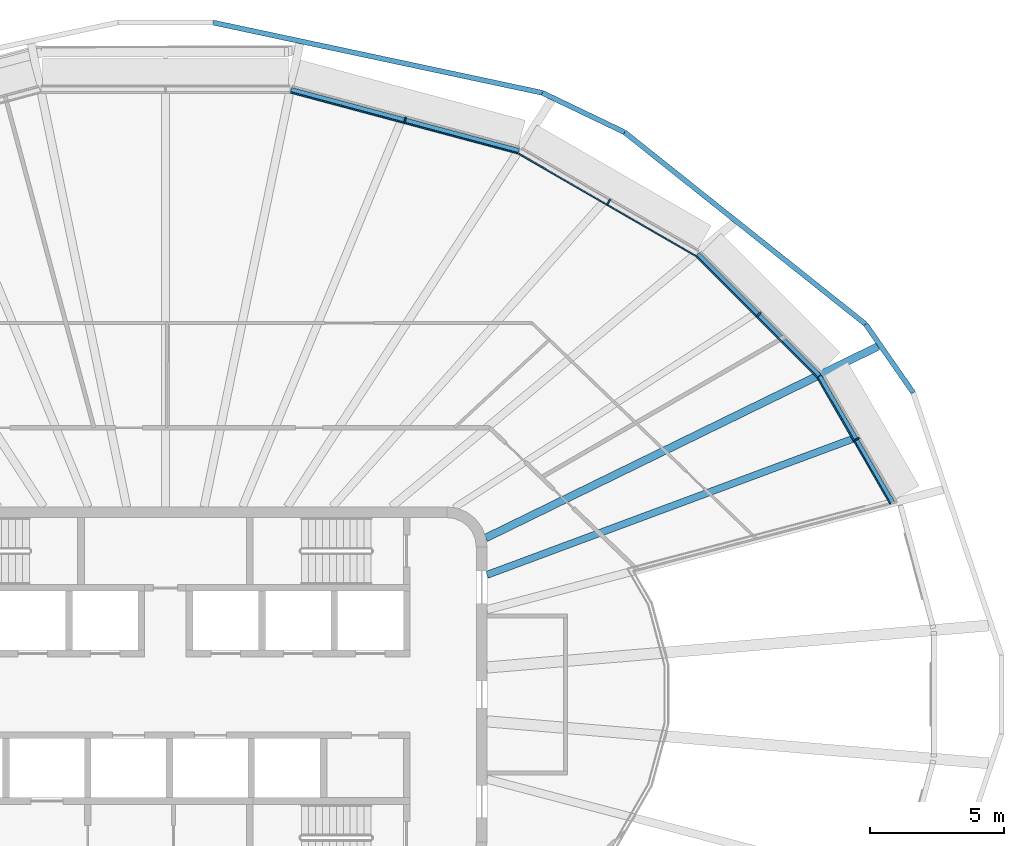
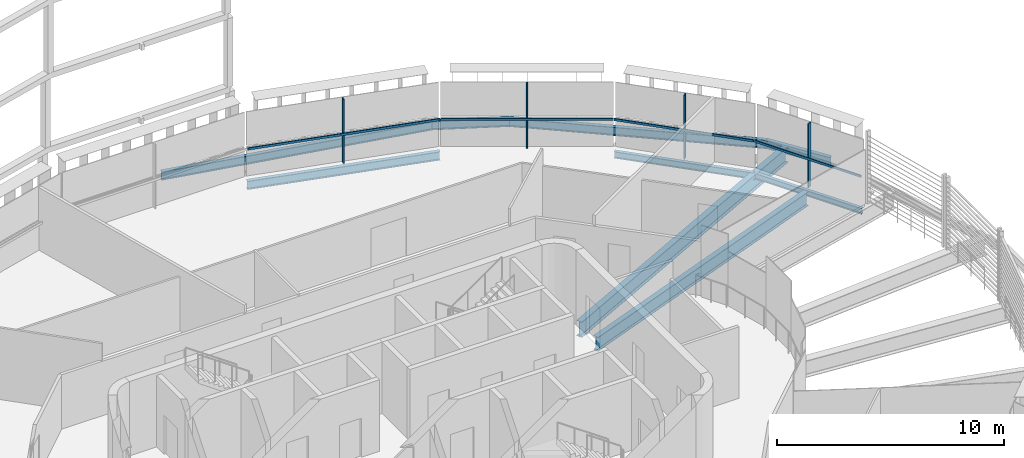
# One storey, part 7 of 19: 9 beams, 8 members, 4 elements without a shape of their own.
"""IFC4 building model written with IfcOpenShell, lengths in metres."""

from ifc_helpers import new_model, si_unit, direction, frame, origin, origin_2d, place, context, subcontext, project, spatial, rectangle, i_section, extrude, material, layer, layer_set, material_profile, profile_set, type_object, element, aggregate, save


model = new_model("IFC4")

# Units and contexts
model_context = context("Model", 3, precision=1e-05, world=origin(), true_north=direction((0.0, 1.0)))
body_context = subcontext(model_context, "Body", "Model", "MODEL_VIEW")
ifc_project = project(units=[si_unit("LENGTHUNIT", "METRE"), si_unit("AREAUNIT", "SQUARE_METRE"), si_unit("VOLUMEUNIT", "CUBIC_METRE"), si_unit("PLANEANGLEUNIT", "RADIAN"), si_unit("MASSUNIT", "GRAM", prefix="KILO")], contexts=[model_context])

# Site, building, storey
site_placement = place(None, origin())
site = spatial("IfcSite", under=ifc_project, at=site_placement, CompositionType="ELEMENT")
building_placement = place(site_placement, origin())
building = spatial("IfcBuilding", under=site, at=building_placement, Name="Sahrelin Media Tower", CompositionType="ELEMENT")
storey_placement = place(building_placement, frame((0.0, 0.0, 287.0)))
storey = spatial("IfcBuildingStorey", under=building, at=storey_placement, Name="L63", CompositionType="ELEMENT", Elevation=287.0)

# Beams
ifc_material_1 = material(Name="Steel S355", Category="steel")
ifc_material_profile_1 = material_profile(ifc_material_1, i_section(OverallWidth=0.1650390625, OverallDepth=0.303466796875, WebThickness=0.006103515625, FlangeThickness=0.01025390625, FilletRadius=0.0087890625, at=origin_2d()), Name="UB 305x165x40")
ifc_profile_set_1 = profile_set([ifc_material_profile_1], Name="Steel S355")
beam_type_1 = type_object("IfcBeamType", Name="Edge beam EB2", PredefinedType="BEAM", material=ifc_profile_set_1)
beam_1_placement = place(storey_placement, frame((24.40625, 11.86865234375, -0.3017578125), z_axis=(0.500030911274, -0.866007556416, 0.0), x_axis=(0.866007556416, 0.500030911274, 0.0)))
element("IfcBeam", 1, at=beam_1_placement, inside=storey, type_object=beam_type_1, Name="Edge beam L63-20", PredefinedType="BEAM", context=body_context, shape_type="SweptSolid", body=[
    extrude(i_section(OverallWidth=0.1650390625, OverallDepth=0.303466796875, WebThickness=0.006103515625, FlangeThickness=0.01025390625, FilletRadius=0.0087890625, at=origin_2d()), origin(), (0.0, 0.0, 1.0), 5.458251953125),
])
ifc_material_profile_2 = material_profile(ifc_material_1, i_section(OverallWidth=0.17138671875, OverallDepth=0.35498046875, WebThickness=0.00732421875, FlangeThickness=0.011474609375, FilletRadius=0.01025390625, at=origin_2d()), Name="UB 356x171x51")
ifc_profile_set_2 = profile_set([ifc_material_profile_2], Name="Steel S355")
beam_type_2 = type_object("IfcBeamType", Name="Edge beam EB3", PredefinedType="BEAM", material=ifc_profile_set_2)
beam_2_placement = place(storey_placement, frame((19.8583984375, 16.422119140625, -0.327392578125), z_axis=(0.707106781187, -0.707106781187, 0.0), x_axis=(0.707106781187, 0.707106781187, 0.0)))
element("IfcBeam", 2, at=beam_2_placement, inside=storey, type_object=beam_type_2, Name="Edge beam L63-19", PredefinedType="BEAM", context=body_context, shape_type="SweptSolid", body=[
    extrude(i_section(OverallWidth=0.17138671875, OverallDepth=0.35498046875, WebThickness=0.00732421875, FlangeThickness=0.011474609375, FilletRadius=0.01025390625, at=origin_2d()), origin(), (0.0, 0.0, 1.0), 6.4072265625),
])
ifc_material_profile_3 = material_profile(ifc_material_1, i_section(OverallWidth=0.1904296875, OverallDepth=0.45703125, WebThickness=0.009033203125, FlangeThickness=0.014404296875, FilletRadius=0.01025390625, at=origin_2d()), Name="UB 457x191x74")
ifc_profile_set_3 = profile_set([ifc_material_profile_3], Name="Steel S355")
beam_type_3 = type_object("IfcBeamType", Name="Edge beam EB5", PredefinedType="BEAM", material=ifc_profile_set_3)
beam_3_placement = place(storey_placement, frame((4.679931640625, 22.552978515625, -0.37841796875), z_axis=(0.965927388996, -0.258813212932, 0.0), x_axis=(0.258813212932, 0.965927388996, 0.0)))
element("IfcBeam", 3, at=beam_3_placement, inside=storey, type_object=beam_type_3, Name="Edge beam L63-17", PredefinedType="BEAM", context=body_context, shape_type="SweptSolid", body=[
    extrude(i_section(OverallWidth=0.1904296875, OverallDepth=0.45703125, WebThickness=0.009033203125, FlangeThickness=0.014404296875, FilletRadius=0.01025390625, at=origin_2d()), origin(), (0.0, 0.0, 1.0), 8.8076171875),
])

# Curtain wall, member
ifc_material_2 = material(Name="Champagne anodised aluminium 6063-T6", Category="aluminium")
ifc_layer = layer(ifc_material_2, 0.14990234375)
ifc_layer_set = layer_set([ifc_layer], Name="Tower ribbon curtain wall")
curtain_wall_type = type_object("IfcCurtainWallType", Name="Tower ribbon curtain wall", PredefinedType="NOTDEFINED", material=ifc_layer_set)
curtain_wall_1_placement = place(storey_placement, frame((25.900634765625, 9.580078125, 0.0), z_axis=(0.0, 0.0, 1.0), x_axis=(1.0, 0.0, 0.0)))
curtain_wall_1 = element("IfcCurtainWall", 4, at=curtain_wall_1_placement, inside=storey, type_object=curtain_wall_type, Name="L63:CW:L63-02", PredefinedType="NOTDEFINED")
ifc_material_profile_4 = material_profile(ifc_material_2, rectangle(XDim=0.06005859375, YDim=0.199951171875, at=origin_2d()), Name="Mullion 60x200")
ifc_profile_set_4 = profile_set([ifc_material_profile_4], Name="Champagne anodised aluminium 6063-T6")
member_type_1 = type_object("IfcMemberType", Name="Mullion 60x200 CW1C", PredefinedType="MULLION", material=ifc_profile_set_4)
member_1_placement = place(storey_placement, frame((25.796875, 9.520263671875, 0.0), z_axis=(0.0, 0.0, 1.0), x_axis=(-0.500006045986, 0.866021913105, 0.0)))
member_1 = element("IfcMember", 5, at=member_1_placement, type_object=member_type_1, Name="L63:CWM:L63-02", PredefinedType="MULLION", context=body_context, shape_type="SweptSolid", body=[
    extrude(rectangle(XDim=0.06005859375, YDim=0.199951171875, at=origin_2d()), origin(), (0.0, 0.0, 1.0), 3.448486328125),
])

curtain_wall_2_placement = place(storey_placement, frame((22.2294921875, 14.2626953125, 0.0), z_axis=(0.0, 0.0, 1.0), x_axis=(1.0, 0.0, 0.0)))
curtain_wall_2 = element("IfcCurtainWall", 6, at=curtain_wall_2_placement, inside=storey, type_object=curtain_wall_type, Name="L63:CW:L63-03", PredefinedType="NOTDEFINED")
member_2_placement = place(storey_placement, frame((22.144775390625, 14.177978515625, 0.0), z_axis=(0.0, 0.0, 1.0), x_axis=(-0.707099376343, 0.707114185953, 0.0)))
member_2 = element("IfcMember", 7, at=member_2_placement, type_object=member_type_1, Name="L63:CWM:L63-03", PredefinedType="MULLION", context=body_context, shape_type="SweptSolid", body=[
    extrude(rectangle(XDim=0.06005859375, YDim=0.199951171875, at=origin_2d()), origin(), (0.0, 0.0, 1.0), 3.448486328125),
])

curtain_wall_3_placement = place(storey_placement, frame((16.599853515625, 18.48095703125, 0.0), z_axis=(0.0, 0.0, 1.0), x_axis=(1.0, 0.0, 0.0)))
curtain_wall_3 = element("IfcCurtainWall", 8, at=curtain_wall_3_placement, inside=storey, type_object=curtain_wall_type, Name="L63:CW:L63-04", PredefinedType="NOTDEFINED")
member_3_placement = place(storey_placement, frame((16.539794921875, 18.376953125, 0.0), z_axis=(0.0, 0.0, 1.0), x_axis=(-0.866025403784, 0.5, 0.0)))
member_3 = element("IfcMember", 9, at=member_3_placement, type_object=member_type_1, Name="L63:CWM:L63-04", PredefinedType="MULLION", context=body_context, shape_type="SweptSolid", body=[
    extrude(rectangle(XDim=0.06005859375, YDim=0.199951171875, at=origin_2d()), origin(), (0.0, 0.0, 1.0), 3.448486328125),
])

curtain_wall_4_placement = place(storey_placement, frame((8.972412109375, 21.55810546875, 0.0), z_axis=(0.0, 0.0, 1.0), x_axis=(1.0, 0.0, 0.0)))
curtain_wall_4 = element("IfcCurtainWall", 10, at=curtain_wall_4_placement, inside=storey, type_object=curtain_wall_type, Name="L63:CW:L63-05", PredefinedType="NOTDEFINED")
member_4_placement = place(storey_placement, frame((8.94140625, 21.442138671875, 0.0), z_axis=(0.0, 0.0, 1.0), x_axis=(-0.965927181449, 0.258813987523, 0.0)))
member_4 = element("IfcMember", 11, at=member_4_placement, type_object=member_type_1, Name="L63:CWM:L63-05", PredefinedType="MULLION", context=body_context, shape_type="SweptSolid", body=[
    extrude(rectangle(XDim=0.06005859375, YDim=0.199951171875, at=origin_2d()), origin(), (0.0, 0.0, 1.0), 3.448486328125),
])

# Beams
ifc_material_profile_5 = material_profile(ifc_material_1, i_section(OverallWidth=0.291748046875, OverallDepth=0.8349609375, WebThickness=0.013916015625, FlangeThickness=0.018798828125, FilletRadius=0.017822265625, at=origin_2d()), Name="UB 838x292x176")
ifc_profile_set_5 = profile_set([ifc_material_profile_5], Name="Steel S355")
beam_type_4 = type_object("IfcBeamType", Name="Radial primary beam PB10", PredefinedType="BEAM", material=ifc_profile_set_5)
beam_4_placement = place(storey_placement, frame((11.95556640625, 5.838134765625, -0.5673828125), z_axis=(0.898580717158, 0.438808266504, 0.0), x_axis=(-0.438808266504, 0.898580717158, 0.0)))
element("IfcBeam", 12, at=beam_4_placement, inside=storey, type_object=beam_type_4, Name="Radial beam L63-03", PredefinedType="BEAM", context=body_context, shape_type="SweptSolid", body=[
    extrude(i_section(OverallWidth=0.291748046875, OverallDepth=0.8349609375, WebThickness=0.013916015625, FlangeThickness=0.018798828125, FilletRadius=0.017822265625, at=origin_2d()), origin(), (0.0, 0.0, 1.0), 16.280517578125),
])
ifc_material_profile_6 = material_profile(ifc_material_1, i_section(OverallWidth=0.26513671875, OverallDepth=0.75390625, WebThickness=0.0126953125, FlangeThickness=0.017578125, FilletRadius=0.0166015625, at=origin_2d()), Name="UB 762x267x147")
ifc_profile_set_6 = profile_set([ifc_material_profile_6], Name="Steel S355")
beam_type_5 = type_object("IfcBeamType", Name="Radial secondary beam SB9", PredefinedType="BEAM", material=ifc_profile_set_6)
beam_5_placement = place(storey_placement, frame((12.0, 4.461181640625, -0.527099609375), z_axis=(0.937324595945, 0.348457460584, 0.0), x_axis=(-0.348457460584, 0.937324595945, 0.0)))
element("IfcBeam", 13, at=beam_5_placement, inside=storey, type_object=beam_type_5, Name="Secondary beam L63-01", PredefinedType="BEAM", context=body_context, shape_type="SweptSolid", body=[
    extrude(i_section(OverallWidth=0.26513671875, OverallDepth=0.75390625, WebThickness=0.0126953125, FlangeThickness=0.017578125, FilletRadius=0.0166015625, at=origin_2d()), origin(), (0.0, 0.0, 1.0), 14.569580078125),
])
ifc_material_profile_7 = material_profile(ifc_material_1, i_section(OverallWidth=0.1904296875, OverallDepth=0.45703125, WebThickness=0.009033203125, FlangeThickness=0.014404296875, FilletRadius=0.01025390625, at=origin_2d()), Name="UB 457x191x74")
ifc_profile_set_7 = profile_set([ifc_material_profile_7], Name="Steel S355")
beam_type_6 = type_object("IfcBeamType", Name="Tie chord TC5", PredefinedType="BEAM", material=ifc_profile_set_7)
beam_6_placement = place(storey_placement, frame((27.8994140625, 11.257080078125, -0.37841796875), z_axis=(-0.570618018354, 0.821215609404, 0.0), x_axis=(-0.821215609404, -0.570618018354, 0.0)))
element("IfcBeam", 14, at=beam_6_placement, inside=storey, type_object=beam_type_6, Name="Tie chord L63-02", PredefinedType="BEAM", context=body_context, shape_type="SweptSolid", body=[
    extrude(i_section(OverallWidth=0.1904296875, OverallDepth=0.45703125, WebThickness=0.009033203125, FlangeThickness=0.014404296875, FilletRadius=0.01025390625, at=origin_2d()), origin(), (0.0, 0.0, 1.0), 3.10888671875),
])
beam_7_placement = place(storey_placement, frame((26.12548828125, 13.81005859375, -0.37841796875), z_axis=(-0.782271520819, 0.622937611415, 0.0), x_axis=(-0.622937611415, -0.782271520819, 0.0)))
element("IfcBeam", 15, at=beam_7_placement, inside=storey, type_object=beam_type_6, Name="Tie chord L63-03", PredefinedType="BEAM", context=body_context, shape_type="SweptSolid", body=[
    extrude(i_section(OverallWidth=0.1904296875, OverallDepth=0.45703125, WebThickness=0.009033203125, FlangeThickness=0.014404296875, FilletRadius=0.01025390625, at=origin_2d()), origin(), (0.0, 0.0, 1.0), 11.49658203125),
])
beam_8_placement = place(storey_placement, frame((17.132080078125, 20.9716796875, -0.37841796875), z_axis=(-0.90161470192, 0.432540089798, 0.0), x_axis=(-0.432540089798, -0.90161470192, 0.0)))
element("IfcBeam", 16, at=beam_8_placement, inside=storey, type_object=beam_type_6, Name="Tie chord L63-04", PredefinedType="BEAM", context=body_context, shape_type="SweptSolid", body=[
    extrude(i_section(OverallWidth=0.1904296875, OverallDepth=0.45703125, WebThickness=0.009033203125, FlangeThickness=0.014404296875, FilletRadius=0.01025390625, at=origin_2d()), origin(), (0.0, 0.0, 1.0), 3.407958984375),
])
beam_9_placement = place(storey_placement, frame((14.059326171875, 22.44580078125, -0.37841796875), z_axis=(-0.97798945227, 0.208654334365, 0.0), x_axis=(-0.208654334365, -0.97798945227, 0.0)))
element("IfcBeam", 17, at=beam_9_placement, inside=storey, type_object=beam_type_6, Name="Tie chord L63-05", PredefinedType="BEAM", context=body_context, shape_type="SweptSolid", body=[
    extrude(i_section(OverallWidth=0.1904296875, OverallDepth=0.45703125, WebThickness=0.009033203125, FlangeThickness=0.014404296875, FilletRadius=0.01025390625, at=origin_2d()), origin(), (0.0, 0.0, 1.0), 12.56201171875),
])

# Member
ifc_material_profile_8 = material_profile(ifc_material_2, rectangle(XDim=0.050048828125, YDim=0.1201171875, at=origin_2d()), Name="Transom 50x120")
ifc_profile_set_8 = profile_set([ifc_material_profile_8], Name="Champagne anodised aluminium 6063-T6")
member_type_2 = type_object("IfcMemberType", Name="Transom 50x120 CW1C", PredefinedType="USERDEFINED", material=ifc_profile_set_8)
member_5_placement = place(storey_placement, frame((27.045166015625, 7.10791015625, 1.60009765625), z_axis=(-0.500000246922, 0.866025261224, 0.0), x_axis=(-0.866025261224, -0.500000246922, 0.0)))
member_5 = element("IfcMember", 18, at=member_5_placement, type_object=member_type_2, Name="L63:CWT:L63-02", ObjectType="TRANSOM", PredefinedType="USERDEFINED", context=body_context, shape_type="SweptSolid", body=[
    extrude(rectangle(XDim=0.050048828125, YDim=0.1201171875, at=origin_2d()), origin(), (0.0, 0.0, 1.0), 5.4267578125),
])

aggregate(curtain_wall_1, [member_1, member_5])

member_6_placement = place(storey_placement, frame((24.310546875, 11.83544921875, 1.60009765625), z_axis=(-0.707106781187, 0.707106781187, 0.0), x_axis=(-0.707106781187, -0.707106781187, 0.0)))
member_6 = element("IfcMember", 19, at=member_6_placement, type_object=member_type_2, Name="L63:CWT:L63-03", ObjectType="TRANSOM", PredefinedType="USERDEFINED", context=body_context, shape_type="SweptSolid", body=[
    extrude(rectangle(XDim=0.050048828125, YDim=0.1201171875, at=origin_2d()), origin(), (0.0, 0.0, 1.0), 6.375732421875),
])

aggregate(curtain_wall_2, [member_2, member_6])

member_7_placement = place(storey_placement, frame((19.7744140625, 16.365234375, 1.60009765625), z_axis=(-0.866028607742, 0.499994450542, 0.0), x_axis=(-0.499994450542, -0.866028607742, 0.0)))
member_7 = element("IfcMember", 20, at=member_7_placement, type_object=member_type_2, Name="L63:CWT:L63-04", ObjectType="TRANSOM", PredefinedType="USERDEFINED", context=body_context, shape_type="SweptSolid", body=[
    extrude(rectangle(XDim=0.050048828125, YDim=0.1201171875, at=origin_2d()), origin(), (0.0, 0.0, 1.0), 7.6142578125),
])

aggregate(curtain_wall_3, [member_3, member_7])

member_8_placement = place(storey_placement, frame((13.147705078125, 20.185791015625, 1.60009765625), z_axis=(-0.965925824959, 0.258819050065, 0.0), x_axis=(-0.258819050065, -0.965925824959, 0.0)))
member_8 = element("IfcMember", 21, at=member_8_placement, type_object=member_type_2, Name="L63:CWT:L63-05", ObjectType="TRANSOM", PredefinedType="USERDEFINED", context=body_context, shape_type="SweptSolid", body=[
    extrude(rectangle(XDim=0.050048828125, YDim=0.1201171875, at=origin_2d()), origin(), (0.0, 0.0, 1.0), 8.7763671875),
])

aggregate(curtain_wall_4, [member_4, member_8])

save(model, "model.ifc")
